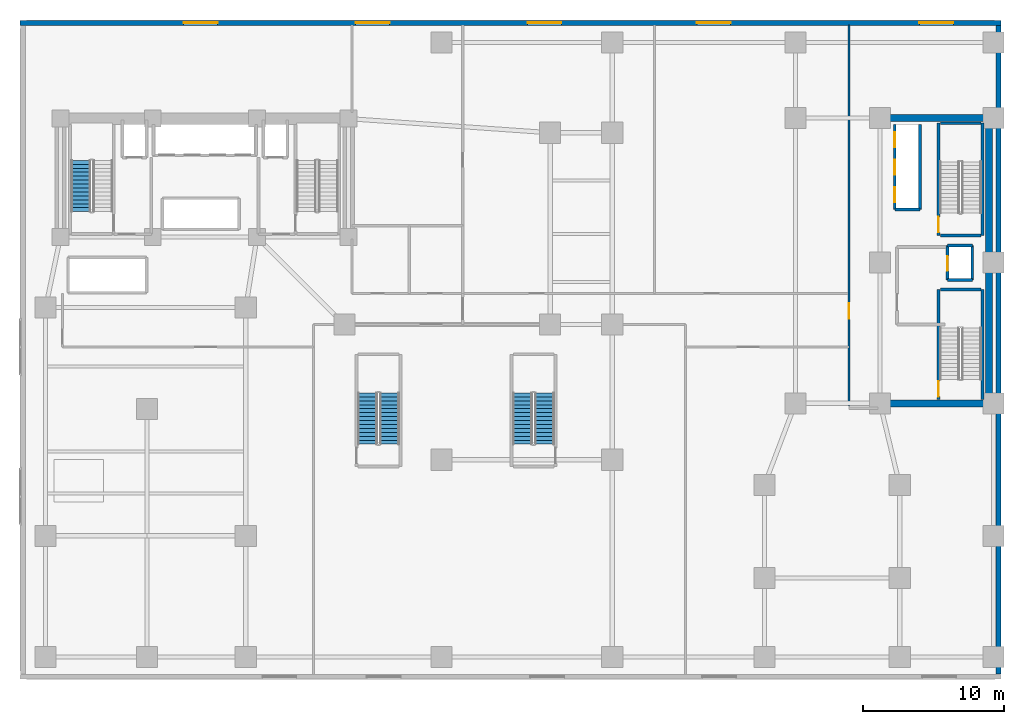
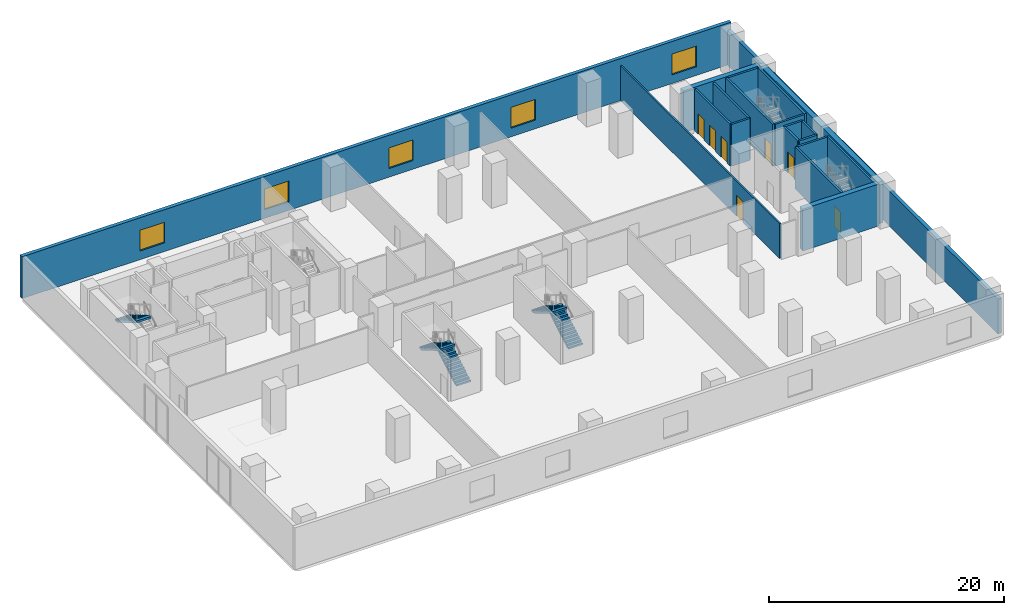
# One storey, part 10 of 14: 20 walls, 7 doors, 5 stair flights, 5 windows, 12 openings, 3 elements without a shape of their own.
"""IFC4 building model written with IfcOpenShell, lengths in metres."""

import ifcopenshell
import ifcopenshell.guid

model = None  # the IFC model being written
_history = None  # IfcOwnerHistory: only IFC2X3 demands one
_inside = {}  # id of a spatial element -> (the spatial element, [elements in it])
_under = {}  # id of a project, library or spatial element -> (it, [spatial elements below it])
_declared = {}  # id of a project -> (the project, [libraries it declares])
_typed = {}  # id of a type object -> (the type object, [elements of that type])
_made_of = {}  # id of a material, layer set ... -> (it, [elements and type objects made of it])


def new_model(schema):
    """Start an empty IFC model of exactly this schema.

    Asked for "IFC4X3", IfcOpenShell would pick the latest addendum, in which some entities
    have other attributes; the version numbers below select the first issue.
    IFC2X3 requires an IfcOwnerHistory on every rooted entity: one is made here for all.
    """
    global model, _history
    if schema == "IFC4X3":
        model = ifcopenshell.file(schema_version=(4, 3, 0, 0))
    else:
        model = ifcopenshell.file(schema=schema)
    _inside.clear()
    _under.clear()
    _declared.clear()
    _typed.clear()
    _made_of.clear()
    _history = None
    if model.schema == "IFC2X3":
        org = make("IfcOrganization", Name="unknown")
        user = make(
            "IfcPersonAndOrganization",
            ThePerson=make("IfcPerson", FamilyName="unknown"),
            TheOrganization=org,
        )
        app = make(
            "IfcApplication",
            ApplicationDeveloper=org,
            Version="unknown",
            ApplicationFullName="unknown",
            ApplicationIdentifier="unknown",
        )
        _history = make(
            "IfcOwnerHistory",
            OwningUser=user,
            OwningApplication=app,
            ChangeAction="ADDED",
            CreationDate=0,
        )
    return model


def make(cls, **values):
    """One entity of the class cls with the attributes given. An attribute that is None is left unset."""
    return model.create_entity(
        cls, **{name: value for name, value in values.items() if value is not None}
    )


def rooted(cls, **values):
    """An entity with a GlobalId (a new one), such as an element, a storey or a relation."""
    return make(cls, GlobalId=ifcopenshell.guid.new(), OwnerHistory=_history, **values)


def si_unit(unit_type, name, prefix=None):
    """IfcSIUnit, for example si_unit("LENGTHUNIT", "METRE", prefix="MILLI")."""
    return make("IfcSIUnit", UnitType=unit_type, Prefix=prefix, Name=name)


def assignment(units):
    """IfcUnitAssignment: the units of a project."""
    return None if units is None else make("IfcUnitAssignment", Units=units)


def point(xyz):
    """IfcCartesianPoint."""
    return None if xyz is None else make("IfcCartesianPoint", Coordinates=xyz)


def direction(xyz):
    """IfcDirection."""
    return None if xyz is None else make("IfcDirection", DirectionRatios=xyz)


def frame(location, z_axis=None, x_axis=None):
    """IfcAxis2Placement3D, a coordinate frame: its origin and axes. An axis left out is left unset."""
    return make(
        "IfcAxis2Placement3D",
        Location=point(location),
        Axis=direction(z_axis),
        RefDirection=direction(x_axis),
    )


def frame_2d(location, x_axis=None):
    """IfcAxis2Placement2D, a coordinate frame in the plane: its origin and x axis."""
    return make(
        "IfcAxis2Placement2D", Location=point(location), RefDirection=direction(x_axis)
    )


def origin():
    """The frame at (0, 0, 0) with its axes left unset."""
    return frame((0.0, 0.0, 0.0))


def place(relative_to, where):
    """IfcLocalPlacement: puts the frame where relative to a parent placement (None: the world)."""
    return make(
        "IfcLocalPlacement", PlacementRelTo=relative_to, RelativePlacement=where
    )


def context(
    kind, dimensions, precision=None, world=None, true_north=None, identifier=None
):
    """IfcGeometricRepresentationContext, for example the 3D "Model" context."""
    return make(
        "IfcGeometricRepresentationContext",
        ContextIdentifier=identifier,
        ContextType=kind,
        CoordinateSpaceDimension=dimensions,
        Precision=precision,
        WorldCoordinateSystem=world,
        TrueNorth=true_north,
    )


def subcontext(parent, identifier, kind, view, scale=None):
    """IfcGeometricRepresentationSubContext, for example "Body" below "Model"."""
    return make(
        "IfcGeometricRepresentationSubContext",
        ContextIdentifier=identifier,
        ContextType=kind,
        ParentContext=parent,
        TargetScale=scale,
        TargetView=view,
    )


def project(units=None, contexts=None):
    """IfcProject with its units and contexts."""
    return rooted(
        "IfcProject",
        Name="project",
        RepresentationContexts=contexts,
        UnitsInContext=assignment(units),
    )


def spatial(cls, under=None, at=None, **own):
    """A site, building, storey or space (cls), placed at a placement, below another one or the project."""
    s = rooted(cls, ObjectPlacement=at, **own)
    if under is not None:
        _under.setdefault(under.id(), (under, []))[1].append(s)
    return s


def polyline(points):
    """IfcPolyline through the points."""
    return make("IfcPolyline", Points=[point(p) for p in points])


def profile(cls, at=None, kind="AREA", **sizes):
    """A parametric profile (cls). Its sizes go by their IFC names, for example OverallWidth=200.0."""
    return make(cls, ProfileType=kind, Position=at, **sizes)


def rectangle(**sizes):
    """IfcRectangleProfileDef."""
    return profile("IfcRectangleProfileDef", **sizes)


def outline(outer, holes=None, kind="AREA"):
    """IfcArbitraryClosedProfileDef: a profile drawn as a closed curve; with holes, ...WithVoids."""
    if holes is None:
        return make("IfcArbitraryClosedProfileDef", ProfileType=kind, OuterCurve=outer)
    return make(
        "IfcArbitraryProfileDefWithVoids",
        ProfileType=kind,
        OuterCurve=outer,
        InnerCurves=holes,
    )


def extrude(swept, where, along, depth):
    """IfcExtrudedAreaSolid: the profile swept, set in the frame where, extruded along a direction by depth."""
    return make(
        "IfcExtrudedAreaSolid",
        SweptArea=swept,
        Position=where,
        ExtrudedDirection=direction(along),
        Depth=depth,
    )


def shape(context_of_items, identifier, shape_type, items):
    """IfcShapeRepresentation: the items that make up one representation, for example the "Body"."""
    return make(
        "IfcShapeRepresentation",
        ContextOfItems=context_of_items,
        RepresentationIdentifier=identifier,
        RepresentationType=shape_type,
        Items=items,
    )


def material(Name=None, Category=None):
    """IfcMaterial."""
    return make("IfcMaterial", Name=Name, Category=Category)


def layer(
    of_material, thickness, ventilated=None, Name=None, Category=None, Priority=None
):
    """IfcMaterialLayer: one layer of a wall or slab, of a material (None: an air gap)."""
    return make(
        "IfcMaterialLayer",
        Material=of_material,
        LayerThickness=thickness,
        IsVentilated=ventilated,
        Name=Name,
        Category=Category,
        Priority=Priority,
    )


def layer_set(layers, Name=None):
    """IfcMaterialLayerSet."""
    return make("IfcMaterialLayerSet", MaterialLayers=layers, LayerSetName=Name)


def made_of(thing, what):
    """Note that an element or type object is made of a material, layer set ...; save() writes the relation."""
    if what is not None:
        _made_of.setdefault(what.id(), (what, []))[1].append(thing)
    return thing


def type_object(cls, material=None, **own):
    """A type object (cls), such as IfcWallType, which elements share."""
    return made_of(rooted(cls, **own), material)


def element(
    cls,
    number,
    at=None,
    inside=None,
    cuts=None,
    type_object=None,
    material=None,
    context=None,
    identifier="Body",
    shape_type=None,
    held_by="IfcProductDefinitionShape",
    body=None,
    shapes=None,
    **own,
):
    """One element of the class cls, such as IfcWall. Its Tag is "e" and its number.

    at: its placement. inside: the storey or other place that contains it. cuts: it is an
    opening in that element (IfcRelVoidsElement). A single representation is given by context,
    identifier, shape_type and body (its items); several are given by shapes. held_by: the class
    of the entity that holds the representations. save() writes the other relations.
    """
    e = rooted(cls, Tag="e%d" % number, ObjectPlacement=at, **own)
    if body is not None:
        shapes = [shape(context, identifier, shape_type, body)]
    if shapes is not None:
        e.Representation = make(held_by, Representations=shapes)
    if inside is not None:
        _inside.setdefault(inside.id(), (inside, []))[1].append(e)
    if cuts is not None:
        rooted(
            "IfcRelVoidsElement", RelatingBuildingElement=cuts, RelatedOpeningElement=e
        )
    if type_object is not None:
        _typed.setdefault(type_object.id(), (type_object, []))[1].append(e)
    return made_of(e, material)


def fill(opening, filler):
    """IfcRelFillsElement: the door or window that sits in an opening."""
    return rooted(
        "IfcRelFillsElement",
        RelatingOpeningElement=opening,
        RelatedBuildingElement=filler,
    )


def aggregate(whole, parts):
    """IfcRelAggregates: a whole, such as a stair, and the parts it consists of."""
    return rooted("IfcRelAggregates", RelatingObject=whole, RelatedObjects=parts)


def save(model, path):
    """Write the relations noted so far, then the file.

    IfcRelAggregates (storeys below a building ...), IfcRelContainedInSpatialStructure (elements
    in a storey), IfcRelDefinesByType, IfcRelAssociatesMaterial and IfcRelDeclares: one each for
    every whole, place, type object, material and project.
    """
    for whole, parts in _under.values():
        aggregate(whole, parts)
    for where, things in _inside.values():
        rooted(
            "IfcRelContainedInSpatialStructure",
            RelatedElements=things,
            RelatingStructure=where,
        )
    for kind, things in _typed.values():
        rooted("IfcRelDefinesByType", RelatedObjects=things, RelatingType=kind)
    for what, things in _made_of.values():
        rooted("IfcRelAssociatesMaterial", RelatedObjects=things, RelatingMaterial=what)
    for by, libraries in _declared.values():
        rooted("IfcRelDeclares", RelatingContext=by, RelatedDefinitions=libraries)
    model.write(path)


model = new_model("IFC4")

# Units and contexts
model_context = context("Model", 3, precision=1e-05, world=origin(), true_north=direction((0.0, 1.0)))
body_context = subcontext(model_context, "Body", "Model", "MODEL_VIEW")
ifc_project = project(units=[si_unit("LENGTHUNIT", "METRE"), si_unit("AREAUNIT", "SQUARE_METRE"), si_unit("VOLUMEUNIT", "CUBIC_METRE"), si_unit("PLANEANGLEUNIT", "RADIAN"), si_unit("MASSUNIT", "GRAM", prefix="KILO")], contexts=[model_context])

# Site, building, storey
site_placement = place(None, origin())
site = spatial("IfcSite", under=ifc_project, at=site_placement, CompositionType="ELEMENT")
building_placement = place(site_placement, origin())
building = spatial("IfcBuilding", under=site, at=building_placement, Name="Kuzgunbayir Cultural Tower", CompositionType="ELEMENT")
storey_placement = place(building_placement, frame((0.0, 0.0, 13.0)))
storey = spatial("IfcBuildingStorey", under=building, at=storey_placement, Name="L03", CompositionType="ELEMENT", Elevation=13.0)

# Wall, openings, windows
ifc_material_1 = material(Name="Anatolian Cream Limestone", Category="masonry")
ifc_layer_1 = layer(ifc_material_1, 0.35009765625)
ifc_layer_set_1 = layer_set([ifc_layer_1], Name="Anatolian Cream Limestone")
wall_type_1 = type_object("IfcWallType", Name="WAL-EXT-STONE-350", PredefinedType="STANDARD", material=ifc_layer_set_1)
wall_1_placement = place(storey_placement, frame((73.199951171875, 49.0, 0.0), z_axis=(0.0, 0.0, 1.0), x_axis=(-1.0, 0.0, 0.0)))
wall_1 = element("IfcWall", 1, at=wall_1_placement, inside=storey, type_object=wall_type_1, Name="L03 Podium North Limestone Facade", PredefinedType="STANDARD", context=body_context, shape_type="SweptSolid", body=[
    extrude(rectangle(XDim=69.599853515625, YDim=0.35009765625, at=frame_2d((34.7998046875, 0.0))), origin(), (0.0, 0.0, 1.0), 4.35009765625),
])
opening_1_placement = place(wall_1_placement, frame((3.39990234375, 0.0, 0.89990234375)))
opening_1 = element("IfcOpeningElement", 2, at=opening_1_placement, cuts=wall_1, Name="Opening WG-24", PredefinedType="OPENING", context=body_context, shape_type="SweptSolid", body=[
    extrude(rectangle(XDim=2.39990234375, YDim=2.14990234375, at=frame_2d((1.199951171875, 1.074951171875))), frame((0.0, 0.18505859375, 0.0), z_axis=(0.0, -1.0, 0.0), x_axis=(1.0, 0.0, 0.0)), (0.0, 0.0, 1.0), 0.3701171875),
])
opening_2_placement = place(wall_1_placement, frame((19.199951171875, 0.0, 0.89990234375)))
opening_2 = element("IfcOpeningElement", 3, at=opening_2_placement, cuts=wall_1, Name="Opening WG-24", PredefinedType="OPENING", context=body_context, shape_type="SweptSolid", body=[
    extrude(rectangle(XDim=2.39990234375, YDim=2.14990234375, at=frame_2d((1.199951171875, 1.074951171875))), frame((0.0, 0.18505859375, 0.0), z_axis=(0.0, -1.0, 0.0), x_axis=(1.0, 0.0, 0.0)), (0.0, 0.0, 1.0), 0.3701171875),
])
opening_3_placement = place(wall_1_placement, frame((31.199951171875, 0.0, 0.89990234375)))
opening_3 = element("IfcOpeningElement", 4, at=opening_3_placement, cuts=wall_1, Name="Opening WG-24", PredefinedType="OPENING", context=body_context, shape_type="SweptSolid", body=[
    extrude(rectangle(XDim=2.39990234375, YDim=2.14990234375, at=frame_2d((1.199951171875, 1.074951171875))), frame((0.0, 0.18505859375, 0.0), z_axis=(0.0, -1.0, 0.0), x_axis=(1.0, 0.0, 0.0)), (0.0, 0.0, 1.0), 0.3701171875),
])
opening_4_placement = place(wall_1_placement, frame((43.39990234375, 0.0, 0.89990234375)))
opening_4 = element("IfcOpeningElement", 5, at=opening_4_placement, cuts=wall_1, Name="Opening WG-24", PredefinedType="OPENING", context=body_context, shape_type="SweptSolid", body=[
    extrude(rectangle(XDim=2.39990234375, YDim=2.14990234375, at=frame_2d((1.199951171875, 1.074951171875))), frame((0.0, 0.18505859375, 0.0), z_axis=(0.0, -1.0, 0.0), x_axis=(1.0, 0.0, 0.0)), (0.0, 0.0, 1.0), 0.3701171875),
])
opening_5_placement = place(wall_1_placement, frame((55.60009765625, 0.0, 0.89990234375)))
opening_5 = element("IfcOpeningElement", 6, at=opening_5_placement, cuts=wall_1, Name="Opening WG-24", PredefinedType="OPENING", context=body_context, shape_type="SweptSolid", body=[
    extrude(rectangle(XDim=2.39990234375, YDim=2.14990234375, at=frame_2d((1.199951171875, 1.074951171875))), frame((0.0, 0.18505859375, 0.0), z_axis=(0.0, -1.0, 0.0), x_axis=(1.0, 0.0, 0.0)), (0.0, 0.0, 1.0), 0.3701171875),
])
ifc_material_2 = material(Name="Solar-Control Triple Glazing", Category="glass")
window_type = type_object("IfcWindowType", Name="WIN-GALLERY-24", PartitioningType="SINGLE_PANEL", PredefinedType="WINDOW", material=ifc_material_2)
window_1_placement = place(opening_1_placement, origin())
window_1 = element("IfcWindow", 7, at=window_1_placement, inside=storey, type_object=window_type, Name="L03 Podium North Gallery Window 1", OverallHeight=2.14990234375, OverallWidth=2.39990234375, PartitioningType="SINGLE_PANEL", PredefinedType="WINDOW", context=body_context, shape_type="SweptSolid", body=[
    extrude(rectangle(XDim=2.39990234375, YDim=2.14990234375, at=frame_2d((1.199951171875, 1.074951171875))), frame((0.0, 0.030029296875, 0.0), z_axis=(0.0, -1.0, 0.0), x_axis=(1.0, 0.0, 0.0)), (0.0, 0.0, 1.0), 0.06005859375),
])
fill(opening_1, window_1)
window_2_placement = place(opening_2_placement, origin())
window_2 = element("IfcWindow", 8, at=window_2_placement, inside=storey, type_object=window_type, Name="L03 Podium North Gallery Window 2", OverallHeight=2.14990234375, OverallWidth=2.39990234375, PartitioningType="SINGLE_PANEL", PredefinedType="WINDOW", context=body_context, shape_type="SweptSolid", body=[
    extrude(rectangle(XDim=2.39990234375, YDim=2.14990234375, at=frame_2d((1.199951171875, 1.074951171875))), frame((0.0, 0.030029296875, 0.0), z_axis=(0.0, -1.0, 0.0), x_axis=(1.0, 0.0, 0.0)), (0.0, 0.0, 1.0), 0.06005859375),
])
fill(opening_2, window_2)
window_3_placement = place(opening_3_placement, origin())
window_3 = element("IfcWindow", 9, at=window_3_placement, inside=storey, type_object=window_type, Name="L03 Podium North Gallery Window 3", OverallHeight=2.14990234375, OverallWidth=2.39990234375, PartitioningType="SINGLE_PANEL", PredefinedType="WINDOW", context=body_context, shape_type="SweptSolid", body=[
    extrude(rectangle(XDim=2.39990234375, YDim=2.14990234375, at=frame_2d((1.199951171875, 1.074951171875))), frame((0.0, 0.030029296875, 0.0), z_axis=(0.0, -1.0, 0.0), x_axis=(1.0, 0.0, 0.0)), (0.0, 0.0, 1.0), 0.06005859375),
])
fill(opening_3, window_3)
window_4_placement = place(opening_4_placement, origin())
window_4 = element("IfcWindow", 10, at=window_4_placement, inside=storey, type_object=window_type, Name="L03 Podium North Gallery Window 4", OverallHeight=2.14990234375, OverallWidth=2.39990234375, PartitioningType="SINGLE_PANEL", PredefinedType="WINDOW", context=body_context, shape_type="SweptSolid", body=[
    extrude(rectangle(XDim=2.39990234375, YDim=2.14990234375, at=frame_2d((1.199951171875, 1.074951171875))), frame((0.0, 0.030029296875, 0.0), z_axis=(0.0, -1.0, 0.0), x_axis=(1.0, 0.0, 0.0)), (0.0, 0.0, 1.0), 0.06005859375),
])
fill(opening_4, window_4)
window_5_placement = place(opening_5_placement, origin())
window_5 = element("IfcWindow", 11, at=window_5_placement, inside=storey, type_object=window_type, Name="L03 Podium North Gallery Window 5", OverallHeight=2.14990234375, OverallWidth=2.39990234375, PartitioningType="SINGLE_PANEL", PredefinedType="WINDOW", context=body_context, shape_type="SweptSolid", body=[
    extrude(rectangle(XDim=2.39990234375, YDim=2.14990234375, at=frame_2d((1.199951171875, 1.074951171875))), frame((0.0, 0.030029296875, 0.0), z_axis=(0.0, -1.0, 0.0), x_axis=(1.0, 0.0, 0.0)), (0.0, 0.0, 1.0), 0.06005859375),
])
fill(opening_5, window_5)

# Wall
wall_2_placement = place(storey_placement, frame((73.0, 2.800048828125, 0.0), z_axis=(0.0, 0.0, 1.0), x_axis=(0.0, 1.0, 0.0)))
element("IfcWall", 12, at=wall_2_placement, inside=storey, type_object=wall_type_1, Name="L03 Podium East Limestone Facade", PredefinedType="STANDARD", context=body_context, shape_type="SweptSolid", body=[
    extrude(rectangle(XDim=46.0, YDim=0.35009765625, at=frame_2d((23.0, 0.0))), origin(), (0.0, 0.0, 1.0), 3.6298828125),
])

# Wall, opening, door
ifc_material_3 = material(Name="Acoustic Double-Stud Drywall", Category="gypsum")
ifc_layer_2 = layer(ifc_material_3, 0.14990234375)
ifc_layer_set_2 = layer_set([ifc_layer_2], Name="Acoustic Double-Stud Drywall")
wall_type_2 = type_object("IfcWallType", Name="WAL-PART-ACOUSTIC-150", PredefinedType="PARTITIONING", material=ifc_layer_set_2)
wall_3_placement = place(storey_placement, frame((62.39990234375, 21.800048828125, 0.0), z_axis=(0.0, 0.0, 1.0), x_axis=(0.0, 1.0, 0.0)))
wall_3 = element("IfcWall", 13, at=wall_3_placement, inside=storey, type_object=wall_type_2, Name="L03 Companion Core West Wall", PredefinedType="PARTITIONING", context=body_context, shape_type="SweptSolid", body=[
    extrude(rectangle(XDim=27.050048828125, YDim=0.14990234375, at=frame_2d((13.52490234375, 0.0))), origin(), (0.0, 0.0, 1.0), 3.6298828125),
])
opening_6_placement = place(wall_3_placement, frame((6.199951171875, 0.0, 0.0)))
opening_6 = element("IfcOpeningElement", 14, at=opening_6_placement, cuts=wall_3, Name="Opening DR-STAIR-90", PredefinedType="OPENING", context=body_context, shape_type="SweptSolid", body=[
    extrude(rectangle(XDim=1.10009765625, YDim=2.14990234375, at=frame_2d((0.550048828125, 1.074951171875))), frame((0.0, 0.0849609375, 0.0), z_axis=(0.0, -1.0, 0.0), x_axis=(1.0, 0.0, 0.0)), (0.0, 0.0, 1.0), 0.169921875),
])
ifc_material_4 = material(Name="Steel S355J2", Category="steel")
door_type_1 = type_object("IfcDoorType", Name="DR-STAIR-90", OperationType="NOTDEFINED", PredefinedType="DOOR", material=ifc_material_4)
door_1_placement = place(opening_6_placement, origin())
door_1 = element("IfcDoor", 15, at=door_1_placement, inside=storey, type_object=door_type_1, Name="L03 Companion Core Concourse Door", OperationType="SINGLE_SWING_RIGHT", OverallHeight=2.14990234375, OverallWidth=1.10009765625, PredefinedType="DOOR", context=body_context, shape_type="SweptSolid", body=[
    extrude(rectangle(XDim=1.10009765625, YDim=2.14990234375, at=frame_2d((0.550048828125, 1.074951171875))), frame((0.0, 0.02490234375, 0.0), z_axis=(0.0, -1.0, 0.0), x_axis=(1.0, 0.0, 0.0)), (0.0, 0.0, 1.0), 0.050048828125),
])
fill(opening_6, door_1)

# Wall, openings, doors
ifc_material_5 = material(Name="Concrete C40/50", Category="concrete")
ifc_layer_3 = layer(ifc_material_5, 0.199951171875)
ifc_layer_set_3 = layer_set([ifc_layer_3], Name="Concrete C40/50")
wall_type_3 = type_object("IfcWallType", Name="WAL-SHAFT-200", PredefinedType="MOVABLE", material=ifc_layer_set_3)
wall_4_placement = place(storey_placement, frame((65.64990234375, 35.75, 0.0), z_axis=(0.0, 0.0, 1.0), x_axis=(0.0, 1.0, 0.0)))
wall_4 = element("IfcWall", 16, at=wall_4_placement, inside=storey, type_object=wall_type_3, Name="L03 Companion Lift Front Wall", PredefinedType="MOVABLE", context=body_context, shape_type="SweptSolid", body=[
    extrude(rectangle(XDim=6.050048828125, YDim=0.199951171875, at=frame_2d((3.02490234375, 0.0))), origin(), (0.0, 0.0, 1.0), 4.35009765625),
])
opening_7_placement = place(wall_4_placement, frame((0.52001953125, 0.0, 0.0)))
opening_7 = element("IfcOpeningElement", 17, at=opening_7_placement, cuts=wall_4, Name="Opening LD", PredefinedType="OPENING", context=body_context, shape_type="SweptSolid", body=[
    extrude(rectangle(XDim=1.050048828125, YDim=2.14990234375, at=frame_2d((0.52490234375, 1.074951171875))), frame((0.0, 0.10986328125, 0.0), z_axis=(0.0, -1.0, 0.0), x_axis=(1.0, 0.0, 0.0)), (0.0, 0.0, 1.0), 0.219970703125),
])
opening_8_placement = place(wall_4_placement, frame((2.47998046875, 0.0, 0.0)))
opening_8 = element("IfcOpeningElement", 18, at=opening_8_placement, cuts=wall_4, Name="Opening LD", PredefinedType="OPENING", context=body_context, shape_type="SweptSolid", body=[
    extrude(rectangle(XDim=1.050048828125, YDim=2.14990234375, at=frame_2d((0.52490234375, 1.074951171875))), frame((0.0, 0.10986328125, 0.0), z_axis=(0.0, -1.0, 0.0), x_axis=(1.0, 0.0, 0.0)), (0.0, 0.0, 1.0), 0.219970703125),
])
opening_9_placement = place(wall_4_placement, frame((4.429931640625, 0.0, 0.0)))
opening_9 = element("IfcOpeningElement", 19, at=opening_9_placement, cuts=wall_4, Name="Opening LD", PredefinedType="OPENING", context=body_context, shape_type="SweptSolid", body=[
    extrude(rectangle(XDim=1.050048828125, YDim=2.14990234375, at=frame_2d((0.52490234375, 1.074951171875))), frame((0.0, 0.10986328125, 0.0), z_axis=(0.0, -1.0, 0.0), x_axis=(1.0, 0.0, 0.0)), (0.0, 0.0, 1.0), 0.219970703125),
])
ifc_material_6 = material(Name="Brushed Stainless Steel", Category="steel")
door_type_2 = type_object("IfcDoorType", Name="DR-LIFT-LANDING", OperationType="SLIDING_TO_LEFT", PredefinedType="DOOR", material=ifc_material_6)
door_2_placement = place(opening_7_placement, origin())
door_2 = element("IfcDoor", 20, at=door_2_placement, inside=storey, type_object=door_type_2, Name="L03 Lift PC-1 Landing Door", OperationType="SLIDING_TO_LEFT", OverallHeight=2.14990234375, OverallWidth=1.050048828125, PredefinedType="DOOR", context=body_context, shape_type="SweptSolid", body=[
    extrude(rectangle(XDim=1.050048828125, YDim=2.14990234375, at=frame_2d((0.52490234375, 1.074951171875))), frame((0.0, 0.02490234375, 0.0), z_axis=(0.0, -1.0, 0.0), x_axis=(1.0, 0.0, 0.0)), (0.0, 0.0, 1.0), 0.050048828125),
])
fill(opening_7, door_2)
door_3_placement = place(opening_8_placement, origin())
door_3 = element("IfcDoor", 21, at=door_3_placement, inside=storey, type_object=door_type_2, Name="L03 Lift PC-2 Landing Door", OperationType="SLIDING_TO_LEFT", OverallHeight=2.14990234375, OverallWidth=1.050048828125, PredefinedType="DOOR", context=body_context, shape_type="SweptSolid", body=[
    extrude(rectangle(XDim=1.050048828125, YDim=2.14990234375, at=frame_2d((0.52490234375, 1.074951171875))), frame((0.0, 0.02490234375, 0.0), z_axis=(0.0, -1.0, 0.0), x_axis=(1.0, 0.0, 0.0)), (0.0, 0.0, 1.0), 0.050048828125),
])
fill(opening_8, door_3)
door_4_placement = place(opening_9_placement, origin())
door_4 = element("IfcDoor", 22, at=door_4_placement, inside=storey, type_object=door_type_2, Name="L03 Lift PC-3 Landing Door", OperationType="SLIDING_TO_LEFT", OverallHeight=2.14990234375, OverallWidth=1.050048828125, PredefinedType="DOOR", context=body_context, shape_type="SweptSolid", body=[
    extrude(rectangle(XDim=1.050048828125, YDim=2.14990234375, at=frame_2d((0.52490234375, 1.074951171875))), frame((0.0, 0.02490234375, 0.0), z_axis=(0.0, -1.0, 0.0), x_axis=(1.0, 0.0, 0.0)), (0.0, 0.0, 1.0), 0.050048828125),
])
fill(opening_9, door_4)

# Walls
wall_5_placement = place(storey_placement, frame((67.449951171875, 35.75, 0.0), z_axis=(0.0, 0.0, 1.0), x_axis=(0.0, 1.0, 0.0)))
element("IfcWall", 23, at=wall_5_placement, inside=storey, type_object=wall_type_3, Name="L03 Companion Lift Shaft Back Wall", PredefinedType="MOVABLE", context=body_context, shape_type="SweptSolid", body=[
    extrude(rectangle(XDim=6.050048828125, YDim=0.199951171875, at=frame_2d((3.02490234375, 0.0))), origin(), (0.0, 0.0, 1.0), 4.35009765625),
])
wall_6_placement = place(storey_placement, frame((65.64990234375, 35.75, 0.0), z_axis=(0.0, 0.0, 1.0), x_axis=(1.0, 0.0, 0.0)))
element("IfcWall", 24, at=wall_6_placement, inside=storey, type_object=wall_type_3, Name="L03 Companion Lift Shaft South Wall", PredefinedType="MOVABLE", context=body_context, shape_type="SweptSolid", body=[
    extrude(rectangle(XDim=1.800048828125, YDim=0.199951171875, at=frame_2d((0.89990234375, 0.0))), origin(), (0.0, 0.0, 1.0), 4.35009765625),
])

# Wall, opening, door
wall_7_placement = place(storey_placement, frame((69.39990234375, 30.75, 0.0), z_axis=(0.0, 0.0, 1.0), x_axis=(0.0, 1.0, 0.0)))
wall_7 = element("IfcWall", 25, at=wall_7_placement, inside=storey, type_object=wall_type_3, Name="L03 FFL-3 Lift Front Wall", PredefinedType="MOVABLE", context=body_context, shape_type="SweptSolid", body=[
    extrude(rectangle(XDim=2.449951171875, YDim=0.199951171875, at=frame_2d((1.22509765625, 0.0))), origin(), (0.0, 0.0, 1.0), 4.35009765625),
])
opening_10_placement = place(wall_7_placement, frame((0.64990234375, 0.0, 0.0)))
opening_10 = element("IfcOpeningElement", 26, at=opening_10_placement, cuts=wall_7, Name="Opening LD", PredefinedType="OPENING", context=body_context, shape_type="SweptSolid", body=[
    extrude(rectangle(XDim=1.050048828125, YDim=2.14990234375, at=frame_2d((0.52490234375, 1.074951171875))), frame((0.0, 0.10986328125, 0.0), z_axis=(0.0, -1.0, 0.0), x_axis=(1.0, 0.0, 0.0)), (0.0, 0.0, 1.0), 0.219970703125),
])
door_5_placement = place(opening_10_placement, origin())
door_5 = element("IfcDoor", 27, at=door_5_placement, inside=storey, type_object=door_type_2, Name="L03 Lift FFL-3 Landing Door", OperationType="SLIDING_TO_LEFT", OverallHeight=2.14990234375, OverallWidth=1.050048828125, PredefinedType="DOOR", context=body_context, shape_type="SweptSolid", body=[
    extrude(rectangle(XDim=1.050048828125, YDim=2.14990234375, at=frame_2d((0.52490234375, 1.074951171875))), frame((0.0, 0.02490234375, 0.0), z_axis=(0.0, -1.0, 0.0), x_axis=(1.0, 0.0, 0.0)), (0.0, 0.0, 1.0), 0.050048828125),
])
fill(opening_10, door_5)

# Walls
wall_8_placement = place(storey_placement, frame((71.14990234375, 30.75, 0.0), z_axis=(0.0, 0.0, 1.0), x_axis=(0.0, 1.0, 0.0)))
element("IfcWall", 28, at=wall_8_placement, inside=storey, type_object=wall_type_3, Name="L03 FFL-3 Shaft Back Wall", PredefinedType="MOVABLE", context=body_context, shape_type="SweptSolid", body=[
    extrude(rectangle(XDim=2.449951171875, YDim=0.199951171875, at=frame_2d((1.22509765625, 0.0))), origin(), (0.0, 0.0, 1.0), 4.35009765625),
])
for number, where, z_axis, x_axis, name in (
    (29, (69.39990234375, 33.199951171875, 0.0), (0.0, 0.0, 1.0), (1.0, 0.0, 0.0), "L03 FFL-3 Shaft North Wall"),
    (30, (69.39990234375, 30.75, 0.0), (0.0, 0.0, 1.0), (1.0, 0.0, 0.0), "L03 FFL-3 Shaft South Wall"),
):
    element("IfcWall", number, at=place(storey_placement, frame(where, z_axis=z_axis, x_axis=x_axis)), inside=storey, type_object=wall_type_3, Name=name, PredefinedType="MOVABLE", context=body_context, shape_type="SweptSolid", body=[
        extrude(rectangle(XDim=1.75, YDim=0.199951171875, at=frame_2d((0.875, 0.0))), origin(), (0.0, 0.0, 1.0), 4.35009765625),
    ])

# Wall, opening, door
ifc_layer_4 = layer(ifc_material_5, 0.199951171875)
ifc_layer_set_4 = layer_set([ifc_layer_4], Name="Concrete C40/50")
wall_type_4 = type_object("IfcWallType", Name="WAL-STAIR-RC-200", PredefinedType="SHEAR", material=ifc_layer_set_4)
wall_9_placement = place(storey_placement, frame((68.760009765625, 22.260009765625, 0.0), z_axis=(0.0, 0.0, 1.0), x_axis=(0.0, 1.0, 0.0)))
wall_9 = element("IfcWall", 31, at=wall_9_placement, inside=storey, type_object=wall_type_4, Name="L03 Stair ST-3 West Structural Wall", PredefinedType="SHEAR", context=body_context, shape_type="SweptSolid", body=[
    extrude(rectangle(XDim=7.820068359375, YDim=0.199951171875, at=frame_2d((3.91015625, 0.0))), origin(), (0.0, 0.0, 1.0), 4.35009765625),
])
opening_11_placement = place(wall_9_placement, frame((0.219970703125, 0.0, 0.0)))
opening_11 = element("IfcOpeningElement", 32, at=opening_11_placement, cuts=wall_9, Name="Opening DR-STAIR-90", PredefinedType="OPENING", context=body_context, shape_type="SweptSolid", body=[
    extrude(rectangle(XDim=1.10009765625, YDim=2.14990234375, at=frame_2d((0.550048828125, 1.074951171875))), frame((0.0, 0.10986328125, 0.0), z_axis=(0.0, -1.0, 0.0), x_axis=(1.0, 0.0, 0.0)), (0.0, 0.0, 1.0), 0.219970703125),
])
door_6_placement = place(opening_11_placement, origin())
door_6 = element("IfcDoor", 33, at=door_6_placement, inside=storey, type_object=door_type_1, Name="L03 Stair ST-3 Fire Door", OperationType="SINGLE_SWING_LEFT", OverallHeight=2.14990234375, OverallWidth=1.10009765625, PredefinedType="DOOR", context=body_context, shape_type="SweptSolid", body=[
    extrude(rectangle(XDim=1.10009765625, YDim=2.14990234375, at=frame_2d((0.550048828125, 1.074951171875))), frame((0.0, 0.02490234375, 0.0), z_axis=(0.0, -1.0, 0.0), x_axis=(1.0, 0.0, 0.0)), (0.0, 0.0, 1.0), 0.050048828125),
])
fill(opening_11, door_6)

# Walls
wall_10_placement = place(storey_placement, frame((71.8798828125, 22.260009765625, 0.0), z_axis=(0.0, 0.0, 1.0), x_axis=(0.0, 1.0, 0.0)))
element("IfcWall", 34, at=wall_10_placement, inside=storey, type_object=wall_type_4, Name="L03 Stair ST-3 East Structural Wall", PredefinedType="SHEAR", context=body_context, shape_type="SweptSolid", body=[
    extrude(rectangle(XDim=7.820068359375, YDim=0.199951171875, at=frame_2d((3.91015625, 0.0))), origin(), (0.0, 0.0, 1.0), 4.35009765625),
])
wall_11_placement = place(storey_placement, frame((68.8798828125, 30.080078125, 0.0), z_axis=(0.0, 0.0, 1.0), x_axis=(1.0, 0.0, 0.0)))
element("IfcWall", 35, at=wall_11_placement, inside=storey, type_object=wall_type_4, Name="L03 Stair ST-3 North Structural Wall", PredefinedType="SHEAR", context=body_context, shape_type="SweptSolid", body=[
    extrude(rectangle(XDim=2.880126953125, YDim=0.199951171875, at=frame_2d((1.43994140625, 0.0))), origin(), (0.0, 0.0, 1.0), 4.35009765625),
])

# Wall, opening, door
wall_12_placement = place(storey_placement, frame((68.760009765625, 33.919921875, 0.0), z_axis=(0.0, 0.0, 1.0), x_axis=(0.0, 1.0, 0.0)))
wall_12 = element("IfcWall", 36, at=wall_12_placement, inside=storey, type_object=wall_type_4, Name="L03 Stair ST-4 West Structural Wall", PredefinedType="SHEAR", context=body_context, shape_type="SweptSolid", body=[
    extrude(rectangle(XDim=7.9599609375, YDim=0.199951171875, at=frame_2d((3.97998046875, 0.0))), origin(), (0.0, 0.0, 1.0), 4.35009765625),
])
opening_12_placement = place(wall_12_placement, frame((0.219970703125, 0.0, 0.0)))
opening_12 = element("IfcOpeningElement", 37, at=opening_12_placement, cuts=wall_12, Name="Opening DR-STAIR-90", PredefinedType="OPENING", context=body_context, shape_type="SweptSolid", body=[
    extrude(rectangle(XDim=1.10009765625, YDim=2.14990234375, at=frame_2d((0.550048828125, 1.074951171875))), frame((0.0, 0.10986328125, 0.0), z_axis=(0.0, -1.0, 0.0), x_axis=(1.0, 0.0, 0.0)), (0.0, 0.0, 1.0), 0.219970703125),
])
door_7_placement = place(opening_12_placement, origin())
door_7 = element("IfcDoor", 38, at=door_7_placement, inside=storey, type_object=door_type_1, Name="L03 Stair ST-4 Fire Door", OperationType="SINGLE_SWING_RIGHT", OverallHeight=2.14990234375, OverallWidth=1.10009765625, PredefinedType="DOOR", context=body_context, shape_type="SweptSolid", body=[
    extrude(rectangle(XDim=1.10009765625, YDim=2.14990234375, at=frame_2d((0.550048828125, 1.074951171875))), frame((0.0, 0.02490234375, 0.0), z_axis=(0.0, -1.0, 0.0), x_axis=(1.0, 0.0, 0.0)), (0.0, 0.0, 1.0), 0.050048828125),
])
fill(opening_12, door_7)

# Walls
wall_13_placement = place(storey_placement, frame((71.8798828125, 33.919921875, 0.0), z_axis=(0.0, 0.0, 1.0), x_axis=(0.0, 1.0, 0.0)))
element("IfcWall", 39, at=wall_13_placement, inside=storey, type_object=wall_type_4, Name="L03 Stair ST-4 East Structural Wall", PredefinedType="SHEAR", context=body_context, shape_type="SweptSolid", body=[
    extrude(rectangle(XDim=7.9599609375, YDim=0.199951171875, at=frame_2d((3.97998046875, 0.0))), origin(), (0.0, 0.0, 1.0), 4.35009765625),
])
for number, where, z_axis, x_axis, name in (
    (40, (68.8798828125, 41.8798828125, 0.0), (0.0, 0.0, 1.0), (1.0, 0.0, 0.0), "L03 Stair ST-4 North Structural Wall"),
    (41, (68.8798828125, 33.919921875, 0.0), (0.0, 0.0, 1.0), (1.0, 0.0, 0.0), "L03 Stair ST-4 South Structural Wall"),
):
    element("IfcWall", number, at=place(storey_placement, frame(where, z_axis=z_axis, x_axis=x_axis)), inside=storey, type_object=wall_type_4, Name=name, PredefinedType="SHEAR", context=body_context, shape_type="SweptSolid", body=[
        extrude(rectangle(XDim=2.880126953125, YDim=0.199951171875, at=frame_2d((1.43994140625, 0.0))), origin(), (0.0, 0.0, 1.0), 4.35009765625),
    ])
ifc_material_7 = material(Name="Concrete C60/75", Category="concrete")
ifc_layer_5 = layer(ifc_material_7, 0.5)
ifc_layer_set_5 = layer_set([ifc_layer_5], Name="Concrete C60/75")
wall_type_5 = type_object("IfcWallType", Name="WAL-T2-CORE-500", PredefinedType="SHEAR", material=ifc_layer_set_5)
wall_14_placement = place(storey_placement, frame((72.35009765625, 22.0, 0.0), z_axis=(0.0, 0.0, 1.0), x_axis=(0.0, 1.0, 0.0)))
element("IfcWall", 42, at=wall_14_placement, inside=storey, type_object=wall_type_5, Name="L03 Companion Core East Shear Wall", PredefinedType="SHEAR", context=body_context, shape_type="SweptSolid", body=[
    extrude(rectangle(XDim=20.25, YDim=0.5, at=frame_2d((10.125, 0.0))), origin(), (0.0, 0.0, 1.0), 4.35009765625),
])
for number, where, z_axis, x_axis, name in (
    (43, (64.60009765625, 42.25, 0.0), (0.0, 0.0, 1.0), (1.0, 0.0, 0.0), "L03 Companion Core North Shear Wall"),
    (44, (64.60009765625, 22.0, 0.0), (0.0, 0.0, 1.0), (1.0, 0.0, 0.0), "L03 Companion Core South Shear Wall"),
):
    element("IfcWall", number, at=place(storey_placement, frame(where, z_axis=z_axis, x_axis=x_axis)), inside=storey, type_object=wall_type_5, Name=name, PredefinedType="SHEAR", context=body_context, shape_type="SweptSolid", body=[
        extrude(rectangle(XDim=7.5, YDim=0.5, at=frame_2d((3.75, 0.0))), origin(), (0.0, 0.0, 1.0), 4.35009765625),
    ])

# Stair, stair flight
stair_type_1 = type_object("IfcStairType", Name="STR-EXIT-CORE", PredefinedType="HALF_TURN_STAIR", material=ifc_material_5)
stair_1_placement = place(storey_placement, origin())
stair_1 = element("IfcStair", 45, at=stair_1_placement, inside=storey, type_object=stair_type_1, Name="L03 ST-1", PredefinedType="HALF_TURN_STAIR")
stair_flight_type = type_object("IfcStairFlightType", Name="STRF-RC-140", PredefinedType="STRAIGHT", material=ifc_material_5)
stair_flight_1_placement = place(storey_placement, frame((7.89990234375, 39.239990234375, 2.300048828125), z_axis=(0.0, 0.0, 1.0), x_axis=(0.0, -1.0, 0.0)))
stair_flight_1 = element("IfcStairFlight", 46, at=stair_flight_1_placement, type_object=stair_flight_type, Name="ST-1 flight 2", NumberOfRisers=14, NumberOfTreads=13, PredefinedType="STRAIGHT", RiserHeight=0.164285714, TreadLength=0.28, context=body_context, shape_type="SweptSolid", body=[
    extrude(outline(polyline([(0.0, 0.0), (0.0, 0.164306640625), (0.280029296875, 0.164306640625), (0.280029296875, 0.32861328125), (0.56005859375, 0.32861328125), (0.56005859375, 0.492919921875), (0.840087890625, 0.492919921875), (0.840087890625, 0.6572265625), (1.1201171875, 0.6572265625), (1.1201171875, 0.821533203125), (1.39990234375, 0.821533203125), (1.39990234375, 0.985595703125), (1.679931640625, 0.985595703125), (1.679931640625, 1.14990234375), (1.9599609375, 1.14990234375), (1.9599609375, 1.314208984375), (2.239990234375, 1.314208984375), (2.239990234375, 1.478515625), (2.52001953125, 1.478515625), (2.52001953125, 1.642822265625), (2.800048828125, 1.642822265625), (2.800048828125, 1.80712890625), (3.080078125, 1.80712890625), (3.080078125, 1.971435546875), (3.360107421875, 1.971435546875), (3.360107421875, 2.1357421875), (3.639892578125, 2.1357421875), (3.639892578125, 2.300048828125), (3.639892578125, 1.927001953125), (0.35546875, 0.0), (0.0, 0.0)])), frame((0.0, 0.699951171875, 0.0), z_axis=(0.0, -1.0, 0.0), x_axis=(1.0, 0.0, 0.0)), (0.0, 0.0, 1.0), 1.39990234375),
])
aggregate(stair_1, [stair_flight_1])

# Stair, stair flights
stair_type_2 = type_object("IfcStairType", Name="STR-PODIUM-ESC", PredefinedType="HALF_TURN_STAIR", material=ifc_material_5)
stair_2_placement = place(storey_placement, origin())
stair_2 = element("IfcStair", 47, at=stair_2_placement, inside=storey, type_object=stair_type_2, Name="L03 ST-5", PredefinedType="HALF_TURN_STAIR")
stair_flight_2_placement = place(storey_placement, frame((29.800048828125, 19.10009765625, 0.0), z_axis=(0.0, 0.0, 1.0), x_axis=(0.0, 1.0, 0.0)))
stair_flight_2 = element("IfcStairFlight", 48, at=stair_flight_2_placement, type_object=stair_flight_type, Name="ST-5 flight 1", NumberOfRisers=14, NumberOfTreads=13, PredefinedType="STRAIGHT", RiserHeight=0.164285714, TreadLength=0.28, context=body_context, shape_type="SweptSolid", body=[
    extrude(outline(polyline([(0.0, 0.0), (0.0, 0.164306640625), (0.280029296875, 0.164306640625), (0.280029296875, 0.32861328125), (0.56005859375, 0.32861328125), (0.56005859375, 0.492919921875), (0.840087890625, 0.492919921875), (0.840087890625, 0.6572265625), (1.1201171875, 0.6572265625), (1.1201171875, 0.821533203125), (1.39990234375, 0.821533203125), (1.39990234375, 0.985595703125), (1.679931640625, 0.985595703125), (1.679931640625, 1.14990234375), (1.9599609375, 1.14990234375), (1.9599609375, 1.314208984375), (2.239990234375, 1.314208984375), (2.239990234375, 1.478515625), (2.52001953125, 1.478515625), (2.52001953125, 1.642822265625), (2.800048828125, 1.642822265625), (2.800048828125, 1.80712890625), (3.080078125, 1.80712890625), (3.080078125, 1.971435546875), (3.360107421875, 1.971435546875), (3.360107421875, 2.1357421875), (3.639892578125, 2.1357421875), (3.639892578125, 2.300048828125), (3.639892578125, 1.927001953125), (0.35546875, 0.0), (0.0, 0.0)])), frame((0.0, 0.699951171875, 0.0), z_axis=(0.0, -1.0, 0.0), x_axis=(1.0, 0.0, 0.0)), (0.0, 0.0, 1.0), 1.39990234375),
])
stair_flight_3_placement = place(storey_placement, frame((28.239990234375, 22.739990234375, 2.300048828125), z_axis=(0.0, 0.0, 1.0), x_axis=(0.0, -1.0, 0.0)))
stair_flight_3 = element("IfcStairFlight", 49, at=stair_flight_3_placement, type_object=stair_flight_type, Name="ST-5 flight 2", NumberOfRisers=14, NumberOfTreads=13, PredefinedType="STRAIGHT", RiserHeight=0.164285714, TreadLength=0.28, context=body_context, shape_type="SweptSolid", body=[
    extrude(outline(polyline([(0.0, 0.0), (0.0, 0.164306640625), (0.280029296875, 0.164306640625), (0.280029296875, 0.32861328125), (0.56005859375, 0.32861328125), (0.56005859375, 0.492919921875), (0.840087890625, 0.492919921875), (0.840087890625, 0.6572265625), (1.1201171875, 0.6572265625), (1.1201171875, 0.821533203125), (1.39990234375, 0.821533203125), (1.39990234375, 0.985595703125), (1.679931640625, 0.985595703125), (1.679931640625, 1.14990234375), (1.9599609375, 1.14990234375), (1.9599609375, 1.314208984375), (2.239990234375, 1.314208984375), (2.239990234375, 1.478515625), (2.52001953125, 1.478515625), (2.52001953125, 1.642822265625), (2.800048828125, 1.642822265625), (2.800048828125, 1.80712890625), (3.080078125, 1.80712890625), (3.080078125, 1.971435546875), (3.360107421875, 1.971435546875), (3.360107421875, 2.1357421875), (3.639892578125, 2.1357421875), (3.639892578125, 2.300048828125), (3.639892578125, 1.927001953125), (0.35546875, 0.0), (0.0, 0.0)])), frame((0.0, 0.699951171875, 0.0), z_axis=(0.0, -1.0, 0.0), x_axis=(1.0, 0.0, 0.0)), (0.0, 0.0, 1.0), 1.39990234375),
])
aggregate(stair_2, [stair_flight_2, stair_flight_3])

stair_3_placement = place(storey_placement, origin())
stair_3 = element("IfcStair", 50, at=stair_3_placement, inside=storey, type_object=stair_type_2, Name="L03 ST-6", PredefinedType="HALF_TURN_STAIR")
stair_flight_4_placement = place(storey_placement, frame((40.800048828125, 19.10009765625, 0.0), z_axis=(0.0, 0.0, 1.0), x_axis=(0.0, 1.0, 0.0)))
stair_flight_4 = element("IfcStairFlight", 51, at=stair_flight_4_placement, type_object=stair_flight_type, Name="ST-6 flight 1", NumberOfRisers=14, NumberOfTreads=13, PredefinedType="STRAIGHT", RiserHeight=0.164285714, TreadLength=0.28, context=body_context, shape_type="SweptSolid", body=[
    extrude(outline(polyline([(0.0, 0.0), (0.0, 0.164306640625), (0.280029296875, 0.164306640625), (0.280029296875, 0.32861328125), (0.56005859375, 0.32861328125), (0.56005859375, 0.492919921875), (0.840087890625, 0.492919921875), (0.840087890625, 0.6572265625), (1.1201171875, 0.6572265625), (1.1201171875, 0.821533203125), (1.39990234375, 0.821533203125), (1.39990234375, 0.985595703125), (1.679931640625, 0.985595703125), (1.679931640625, 1.14990234375), (1.9599609375, 1.14990234375), (1.9599609375, 1.314208984375), (2.239990234375, 1.314208984375), (2.239990234375, 1.478515625), (2.52001953125, 1.478515625), (2.52001953125, 1.642822265625), (2.800048828125, 1.642822265625), (2.800048828125, 1.80712890625), (3.080078125, 1.80712890625), (3.080078125, 1.971435546875), (3.360107421875, 1.971435546875), (3.360107421875, 2.1357421875), (3.639892578125, 2.1357421875), (3.639892578125, 2.300048828125), (3.639892578125, 1.927001953125), (0.35546875, 0.0), (0.0, 0.0)])), frame((0.0, 0.699951171875, 0.0), z_axis=(0.0, -1.0, 0.0), x_axis=(1.0, 0.0, 0.0)), (0.0, 0.0, 1.0), 1.39990234375),
])
stair_flight_5_placement = place(storey_placement, frame((39.239990234375, 22.739990234375, 2.300048828125), z_axis=(0.0, 0.0, 1.0), x_axis=(0.0, -1.0, 0.0)))
stair_flight_5 = element("IfcStairFlight", 52, at=stair_flight_5_placement, type_object=stair_flight_type, Name="ST-6 flight 2", NumberOfRisers=14, NumberOfTreads=13, PredefinedType="STRAIGHT", RiserHeight=0.164285714, TreadLength=0.28, context=body_context, shape_type="SweptSolid", body=[
    extrude(outline(polyline([(0.0, 0.0), (0.0, 0.164306640625), (0.280029296875, 0.164306640625), (0.280029296875, 0.32861328125), (0.56005859375, 0.32861328125), (0.56005859375, 0.492919921875), (0.840087890625, 0.492919921875), (0.840087890625, 0.6572265625), (1.1201171875, 0.6572265625), (1.1201171875, 0.821533203125), (1.39990234375, 0.821533203125), (1.39990234375, 0.985595703125), (1.679931640625, 0.985595703125), (1.679931640625, 1.14990234375), (1.9599609375, 1.14990234375), (1.9599609375, 1.314208984375), (2.239990234375, 1.314208984375), (2.239990234375, 1.478515625), (2.52001953125, 1.478515625), (2.52001953125, 1.642822265625), (2.800048828125, 1.642822265625), (2.800048828125, 1.80712890625), (3.080078125, 1.80712890625), (3.080078125, 1.971435546875), (3.360107421875, 1.971435546875), (3.360107421875, 2.1357421875), (3.639892578125, 2.1357421875), (3.639892578125, 2.300048828125), (3.639892578125, 1.927001953125), (0.35546875, 0.0), (0.0, 0.0)])), frame((0.0, 0.699951171875, 0.0), z_axis=(0.0, -1.0, 0.0), x_axis=(1.0, 0.0, 0.0)), (0.0, 0.0, 1.0), 1.39990234375),
])
aggregate(stair_3, [stair_flight_4, stair_flight_5])

save(model, "model.ifc")
